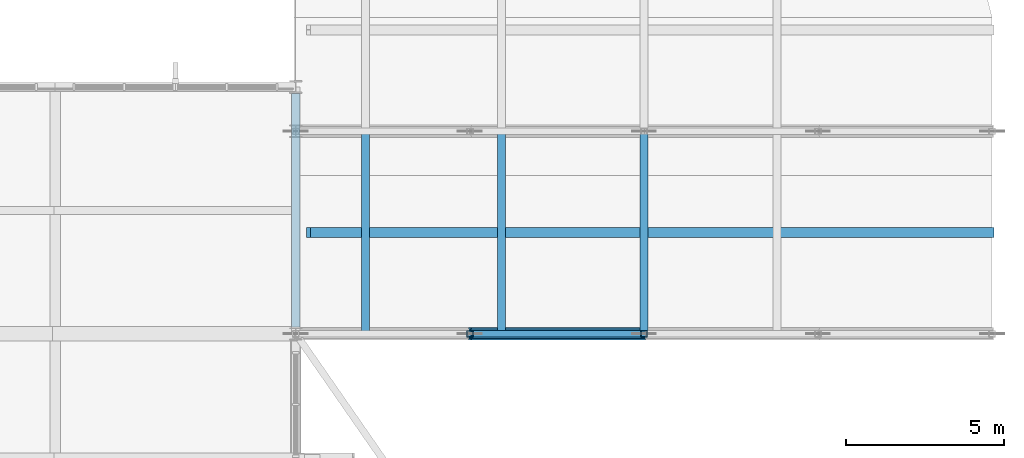
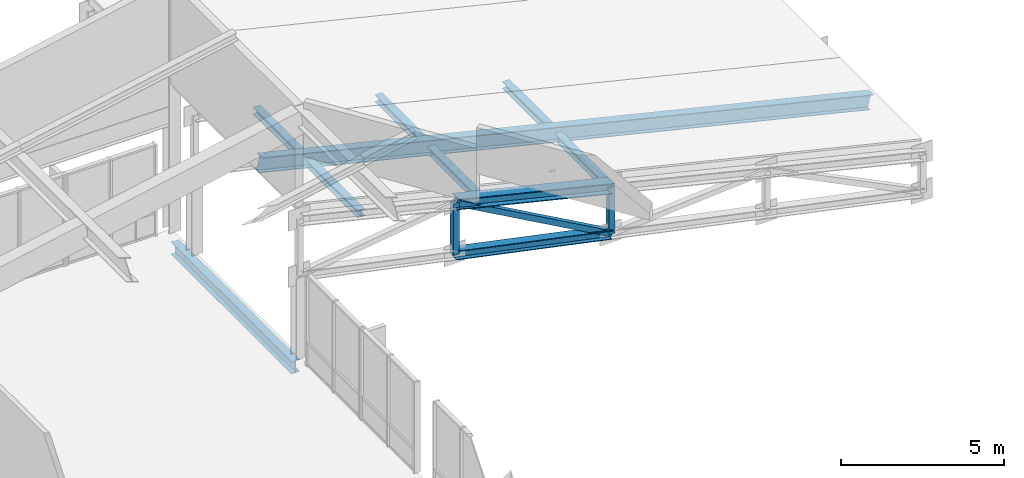
# One storey, part 31 of 73: 9 members, 1 beam.
"""IFC4 building model written with IfcOpenShell, lengths in metres."""

from ifc_helpers import new_model, si_unit, direction, frame, origin, origin_2d, place, context, subcontext, project, spatial, hollow_rectangle, i_section, extrude, material, material_profile, profile_set, type_object, element, save


model = new_model("IFC4")

# Units and contexts
model_context = context("Model", 3, precision=1e-05, world=origin(), true_north=direction((0.0, 1.0)))
body_context = subcontext(model_context, "Body", "Model", "MODEL_VIEW")
ifc_project = project(units=[si_unit("LENGTHUNIT", "METRE"), si_unit("AREAUNIT", "SQUARE_METRE"), si_unit("VOLUMEUNIT", "CUBIC_METRE"), si_unit("PLANEANGLEUNIT", "RADIAN"), si_unit("MASSUNIT", "GRAM", prefix="KILO")], contexts=[model_context])

# Site, building, storey
site_placement = place(None, origin())
site = spatial("IfcSite", under=ifc_project, at=site_placement, CompositionType="ELEMENT")
building_placement = place(site_placement, origin())
building = spatial("IfcBuilding", under=site, at=building_placement, Name="Vervanel Yard Central Library", CompositionType="ELEMENT")
storey_placement = place(building_placement, frame((0.0, 0.0, 12.780029296875)))
storey = spatial("IfcBuildingStorey", under=building, at=storey_placement, Name="L03", CompositionType="ELEMENT", Elevation=12.780029296875)

# Members
ifc_material_1 = material(Name="Steel ASTM A992 Grade 50", Category="steel")
ifc_material_profile_1 = material_profile(ifc_material_1, i_section(OverallWidth=0.256591796875, OverallDepth=0.26416015625, WebThickness=0.011962890625, FlangeThickness=0.01953125, at=origin_2d()), Name="W10X68", Category="steel")
ifc_profile_set_1 = profile_set([ifc_material_profile_1], Name="Steel ASTM A992 Grade 50")
member_type_1 = type_object("IfcMemberType", Name="Auditorium Roof Purlin W10X68", PredefinedType="PURLIN", material=ifc_profile_set_1)
for number, where, z_axis, x_axis, name in (
    (1, (148.199951171875, 74.39990234375, 4.530029296875), (0.0, 1.0, 0.0), (-1.0, 0.0, 0.0), "Auditorium Roof Purlin X=148.2 Y=74.4-80.8"),
    (2, (152.5, 74.39990234375, 3.494140625), (0.0, 1.0, 0.0), (-1.0, 0.0, 0.0), "Auditorium Roof Purlin X=152.5 Y=74.4-80.8"),
    (3, (157.0, 74.39990234375, 2.409912109375), (0.0, 1.0, 0.0), (-1.0, 0.0, 0.0), "Auditorium Roof Purlin X=157.0 Y=74.4-80.8"),
):
    element("IfcMember", number, at=place(storey_placement, frame(where, z_axis=z_axis, x_axis=x_axis)), inside=storey, type_object=member_type_1, Name=name, PredefinedType="PURLIN", context=body_context, shape_type="SweptSolid", body=[
        extrude(i_section(OverallWidth=0.256591796875, OverallDepth=0.26416015625, WebThickness=0.011962890625, FlangeThickness=0.01953125, at=origin_2d()), origin(), (0.0, 0.0, 1.0), 6.400146484375),
    ])
ifc_material_profile_2 = material_profile(ifc_material_1, i_section(OverallWidth=0.309814453125, OverallDepth=0.32763671875, WebThickness=0.015380859375, FlangeThickness=0.025146484375, at=origin_2d()), Name="W12X106", Category="steel")
ifc_profile_set_2 = profile_set([ifc_material_profile_2], Name="Steel ASTM A992 Grade 50")
member_type_2 = type_object("IfcMemberType", Name="Auditorium Roof Truss Bottom Chord W12X106", PredefinedType="CHORD", material=ifc_profile_set_2)
member_1_placement = place(storey_placement, frame((151.5, 74.39990234375, 1.889892578125), z_axis=(0.978835582264, 0.0, -0.204648241853), x_axis=(0.0, 1.0, 0.0)))
element("IfcMember", 4, at=member_1_placement, inside=storey, type_object=member_type_2, Name="Auditorium Truss 1 Bottom Chord 2", PredefinedType="CHORD", context=body_context, shape_type="SweptSolid", body=[
    extrude(i_section(OverallWidth=0.309814453125, OverallDepth=0.32763671875, WebThickness=0.015380859375, FlangeThickness=0.025146484375, at=origin_2d()), origin(), (0.0, 0.0, 1.0), 5.618896484375),
])
ifc_material_profile_3 = material_profile(ifc_material_1, i_section(OverallWidth=0.396240234375, OverallDepth=0.381103515625, WebThickness=0.01904296875, FlangeThickness=0.0302734375, at=origin_2d()), Name="W14X159", Category="steel")
ifc_profile_set_3 = profile_set([ifc_material_profile_3], Name="Steel ASTM A992 Grade 50")
member_type_3 = type_object("IfcMemberType", Name="Auditorium Roof Truss Chord W14X159", PredefinedType="CHORD", material=ifc_profile_set_3)
member_2_placement = place(storey_placement, frame((151.5, 74.39990234375, 3.81494140625), z_axis=(0.972188346998, 0.0, -0.234200379934), x_axis=(0.0, 1.0, 0.0)))
element("IfcMember", 5, at=member_2_placement, inside=storey, type_object=member_type_3, Name="Auditorium Truss 1 Top Chord 2", PredefinedType="CHORD", context=body_context, shape_type="SweptSolid", body=[
    extrude(i_section(OverallWidth=0.396240234375, OverallDepth=0.381103515625, WebThickness=0.01904296875, FlangeThickness=0.0302734375, at=origin_2d()), origin(), (0.0, 0.0, 1.0), 5.6572265625),
])
ifc_material_profile_4 = material_profile(ifc_material_1, i_section(OverallWidth=0.3125, OverallDepth=0.54345703125, WebThickness=0.0126953125, FlangeThickness=0.020263671875, at=origin_2d()), Name="W21X101", Category="steel")
ifc_profile_set_4 = profile_set([ifc_material_profile_4], Name="Steel ASTM A992 Grade 50")
member_type_4 = type_object("IfcMemberType", Name="Auditorium Sloped Rafter W21X101", PredefinedType="RAFTER", material=ifc_profile_set_4)
member_3_placement = place(storey_placement, frame((146.39990234375, 77.60009765625, 5.103515625), z_axis=(0.972186859469, 0.0, -0.234206554725), x_axis=(0.0, 1.0, 0.0)))
element("IfcMember", 6, at=member_3_placement, inside=storey, type_object=member_type_4, Name="Auditorium Intermediate Sloped Rafter 1", PredefinedType="RAFTER", context=body_context, shape_type="SweptSolid", body=[
    extrude(i_section(OverallWidth=0.3125, OverallDepth=0.54345703125, WebThickness=0.0126953125, FlangeThickness=0.020263671875, at=origin_2d()), origin(), (0.0, 0.0, 1.0), 22.218017578125),
])
ifc_material_2 = material(Name="Steel ASTM A500 Grade C", Category="steel")
ifc_material_profile_5 = material_profile(ifc_material_2, hollow_rectangle(XDim=0.203125, YDim=0.203125, WallThickness=0.01171875, at=origin_2d()), Name="HSS8X8X1/2", Category="steel")
ifc_profile_set_5 = profile_set([ifc_material_profile_5], Name="Steel ASTM A500 Grade C")
member_type_5 = type_object("IfcMemberType", Name="Auditorium Truss Web Diagonal HSS8X8X1/2", PredefinedType="BRACE", material=ifc_profile_set_5)
member_4_placement = place(storey_placement, frame((151.5, 74.39990234375, 3.81494140625), z_axis=(0.872847381688, 0.0, -0.487993287126), x_axis=(0.0, 1.0, 0.0)))
element("IfcMember", 7, at=member_4_placement, inside=storey, type_object=member_type_5, Name="Auditorium Truss 1 Web Diagonal 2", PredefinedType="BRACE", context=body_context, shape_type="SweptSolid", body=[
    extrude(hollow_rectangle(XDim=0.203125, YDim=0.203125, WallThickness=0.01171875, at=origin_2d()), origin(), (0.0, 0.0, 1.0), 6.30126953125),
])
member_5_placement = place(storey_placement, frame((151.5, 74.39990234375, 1.889892578125), z_axis=(0.0, 0.0, 1.0), x_axis=(1.0, 0.0, 0.0)))
element("IfcMember", 8, at=member_5_placement, inside=storey, type_object=member_type_5, Name="Auditorium Truss 1 Vertical 2", PredefinedType="BRACE", context=body_context, shape_type="SweptSolid", body=[
    extrude(hollow_rectangle(XDim=0.203125, YDim=0.203125, WallThickness=0.01171875, at=origin_2d()), origin(), (0.0, 0.0, 1.0), 1.925048828125),
])
member_6_placement = place(storey_placement, frame((157.0, 74.39990234375, 0.739990234375), z_axis=(0.0, 0.0, 1.0), x_axis=(1.0, 0.0, 0.0)))
element("IfcMember", 9, at=member_6_placement, inside=storey, type_object=member_type_5, Name="Auditorium Truss 1 Vertical 3", PredefinedType="BRACE", context=body_context, shape_type="SweptSolid", body=[
    extrude(hollow_rectangle(XDim=0.203125, YDim=0.203125, WallThickness=0.01171875, at=origin_2d()), origin(), (0.0, 0.0, 1.0), 1.75),
])

# Beam
ifc_material_profile_6 = material_profile(ifc_material_1, i_section(OverallWidth=0.281982421875, OverallDepth=0.46728515625, WebThickness=0.01220703125, FlangeThickness=0.01953125, at=origin_2d()), Name="W18X86", Category="steel")
ifc_profile_set_6 = profile_set([ifc_material_profile_6], Name="Steel ASTM A992 Grade 50")
beam_type = type_object("IfcBeamType", Name="Steel Spandrel Beam W18X86", PredefinedType="SPANDREL", material=ifc_profile_set_6)
beam_placement = place(storey_placement, frame((146.0, 74.6083984375, -0.548828125), z_axis=(0.0, 1.0, 0.0), x_axis=(-1.0, 0.0, 0.0)))
element("IfcBeam", 10, at=beam_placement, inside=storey, type_object=beam_type, Name="L03 Girder SP-02 X=146.0 Y=74.4-82.2", PredefinedType="SPANDREL", context=body_context, shape_type="SweptSolid", body=[
    extrude(i_section(OverallWidth=0.281982421875, OverallDepth=0.46728515625, WebThickness=0.01220703125, FlangeThickness=0.01953125, at=origin_2d()), origin(), (0.0, 0.0, 1.0), 7.38330078125),
])

save(model, "model.ifc")
